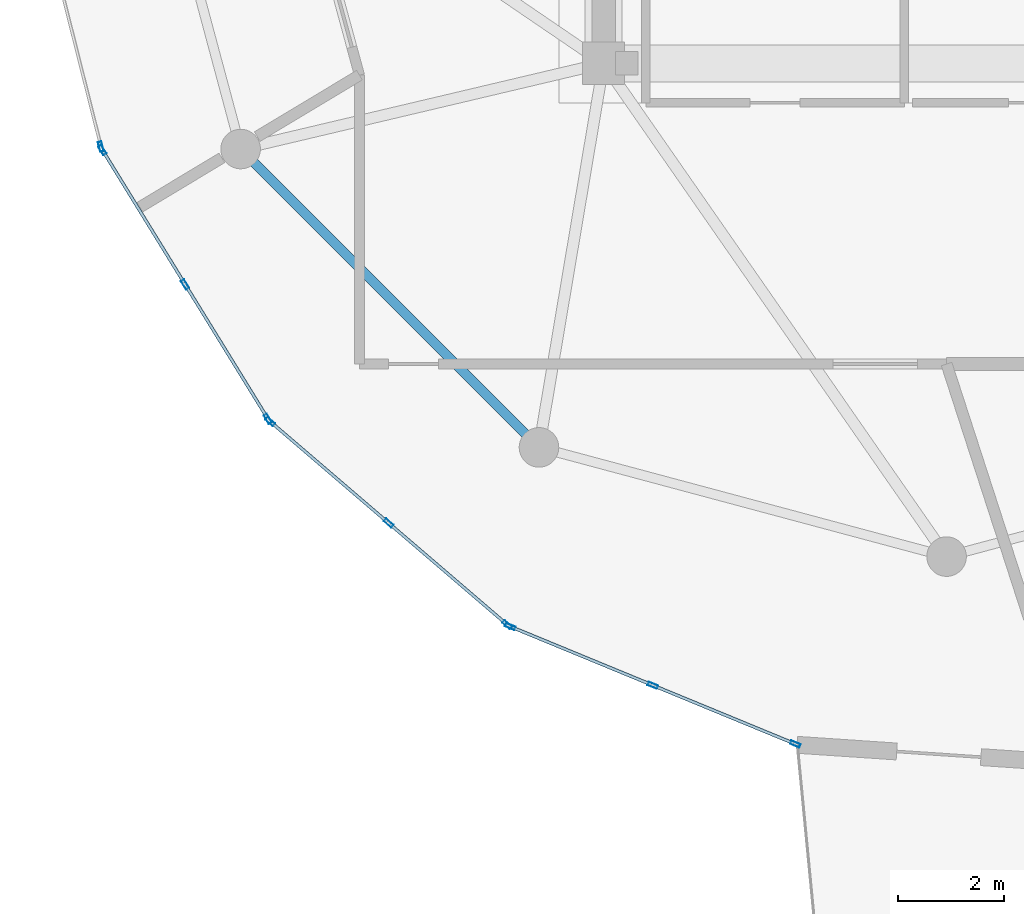
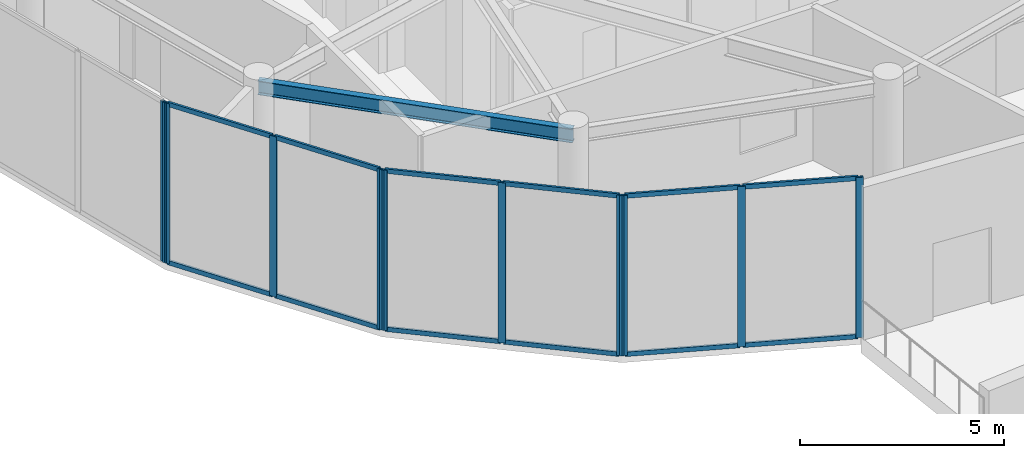
# One storey, part 2 of 21: 22 members, 1 beam, 4 elements without a shape of their own.
"""IFC4 building model written with IfcOpenShell, lengths in metres."""

from ifc_helpers import new_model, si_unit, direction, frame, origin, origin_2d, place, context, subcontext, project, spatial, hollow_rectangle, i_section, extrude, source, transform, mapped, material, layer, layer_set, material_profile, profile_set, type_object, element, aggregate, save


model = new_model("IFC4")

# Units and contexts
model_context = context("Model", 3, precision=1e-05, world=origin(), true_north=direction((0.0, 1.0)))
body_context = subcontext(model_context, "Body", "Model", "MODEL_VIEW")
ifc_project = project(units=[si_unit("LENGTHUNIT", "METRE"), si_unit("AREAUNIT", "SQUARE_METRE"), si_unit("VOLUMEUNIT", "CUBIC_METRE"), si_unit("PLANEANGLEUNIT", "RADIAN"), si_unit("MASSUNIT", "GRAM", prefix="KILO")], contexts=[model_context])

# Site, building, storey
site_placement = place(None, origin())
site = spatial("IfcSite", under=ifc_project, at=site_placement, CompositionType="ELEMENT")
building_placement = place(site_placement, origin())
building = spatial("IfcBuilding", under=site, at=building_placement, Name="Solvirekh Grand Hotel", CompositionType="ELEMENT")
storey_placement = place(building_placement, frame((0.0, 0.0, 262.0)))
storey = spatial("IfcBuildingStorey", under=building, at=storey_placement, Name="L68", CompositionType="ELEMENT", Elevation=262.0)

# Beam
ifc_material_1 = material(Name="Steel S355", Category="steel")
ifc_material_profile_1 = material_profile(ifc_material_1, i_section(OverallWidth=0.180908203125, OverallDepth=0.4169921875, WebThickness=0.010009765625, FlangeThickness=0.01611328125, FilletRadius=0.011962890625, at=origin_2d()), Name="W410X85")
ifc_profile_set_1 = profile_set([ifc_material_profile_1], Name="Steel S355")
beam_type = type_object("IfcBeamType", Name="Spandrel_Ring_W410", PredefinedType="SPANDREL", material=ifc_profile_set_1)
beam_placement = place(storey_placement, frame((-13.3798828125, -7.72509765625, 4.361083984375), z_axis=(0.707106781187, -0.707106781187, 0.0), x_axis=(0.707106781187, 0.707106781187, 0.0)))
element("IfcBeam", 1, at=beam_placement, inside=storey, type_object=beam_type, Name="L68 perimeter spandrel beam 8", PredefinedType="SPANDREL", context=body_context, shape_type="SweptSolid", body=[
    extrude(i_section(OverallWidth=0.180908203125, OverallDepth=0.4169921875, WebThickness=0.010009765625, FlangeThickness=0.01611328125, FilletRadius=0.011962890625, at=origin_2d()), origin(), (0.0, 0.0, 1.0), 7.9970703125),
])

# Curtain wall, member
ifc_material_2 = material(Name="Anodized Bronze Aluminium 6063-T6", Category="aluminium")
ifc_layer = layer(ifc_material_2, 0.18994140625)
ifc_layer_set = layer_set([ifc_layer], Name="Anodized Bronze Aluminium 6063-T6")
curtain_wall_type = type_object("IfcCurtainWallType", Name="CW_Sys5_SkyLobbyPanoramaCW", PredefinedType="NOTDEFINED", material=ifc_layer_set)
curtain_wall_1_placement = place(storey_placement, origin())
curtain_wall_1 = element("IfcCurtainWall", 2, at=curtain_wall_1_placement, inside=storey, type_object=curtain_wall_type, Name="L68 unitised bronze-glass curtain wall CW-L68-C16", PredefinedType="NOTDEFINED")
ifc_material_profile_2 = material_profile(ifc_material_2, hollow_rectangle(XDim=0.070068359375, YDim=0.18994140625, WallThickness=0.0048828125, at=origin_2d()), Name="ALU RHS 190X70X5")
ifc_profile_set_2 = profile_set([ifc_material_profile_2], Name="Anodized Bronze Aluminium 6063-T6")
member_type_1 = type_object("IfcMemberType", Name="CWMullion_Sys5", PredefinedType="MULLION", material=ifc_profile_set_2)
shared_shape_1 = source(origin(), body_context, "Body", "SweptSolid", [
    extrude(hollow_rectangle(XDim=0.070068359375, YDim=0.18994140625, WallThickness=0.0048828125, at=origin_2d()), origin(), (0.0, 0.0, 1.0), 4.800048828125),
])
member_1_placement = place(storey_placement, frame((-16.028564453125, -7.678955078125, 0.0), z_axis=(0.0, 0.0, 1.0), x_axis=(0.969531400996, 0.244967064078, 0.0)))
member_1 = element("IfcMember", 3, at=member_1_placement, type_object=member_type_1, Name="U05 mullion 3", PredefinedType="MULLION", context=body_context, shape_type="MappedRepresentation", body=[
    mapped(shared_shape_1, transform((0.0, 0.0, 0.0), x_axis=(1.0, 0.0, 0.0), y_axis=(0.0, 1.0, 0.0), z_axis=(0.0, 0.0, 1.0), scale=1.0)),
])
aggregate(curtain_wall_1, [member_1])

# Curtain wall, members
curtain_wall_2_placement = place(storey_placement, origin())
curtain_wall_2 = element("IfcCurtainWall", 4, at=curtain_wall_2_placement, inside=storey, type_object=curtain_wall_type, Name="L68 unitised bronze-glass curtain wall CW-L68-C17", PredefinedType="NOTDEFINED")
member_2_placement = place(storey_placement, frame((-16.001708984375, -7.742919921875, 0.0), z_axis=(0.0, 0.0, 1.0), x_axis=(0.851533516922, 0.524300171237, 0.0)))
member_2 = element("IfcMember", 5, at=member_2_placement, type_object=member_type_1, Name="U05 mullion 1", PredefinedType="MULLION", context=body_context, shape_type="MappedRepresentation", body=[
    mapped(shared_shape_1, transform((0.0, 0.0, 0.0), x_axis=(1.0, 0.0, 0.0), y_axis=(0.0, 1.0, 0.0), z_axis=(0.0, 0.0, 1.0), scale=1.0)),
])
member_3_placement = place(storey_placement, frame((-14.43310546875, -10.29052734375, 0.0), z_axis=(0.0, 0.0, 1.0), x_axis=(0.851533516922, 0.524300171237, 0.0)))
member_3 = element("IfcMember", 6, at=member_3_placement, type_object=member_type_1, Name="U05 mullion 2", PredefinedType="MULLION", context=body_context, shape_type="MappedRepresentation", body=[
    mapped(shared_shape_1, transform((0.0, 0.0, 0.0), x_axis=(1.0, 0.0, 0.0), y_axis=(0.0, 1.0, 0.0), z_axis=(0.0, 0.0, 1.0), scale=1.0)),
])
member_4_placement = place(storey_placement, frame((-12.8642578125, -12.838134765625, 0.0), z_axis=(0.0, 0.0, 1.0), x_axis=(0.851533516922, 0.524300171237, 0.0)))
member_4 = element("IfcMember", 7, at=member_4_placement, type_object=member_type_1, Name="U05 mullion 3", PredefinedType="MULLION", context=body_context, shape_type="MappedRepresentation", body=[
    mapped(shared_shape_1, transform((0.0, 0.0, 0.0), x_axis=(1.0, 0.0, 0.0), y_axis=(0.0, 1.0, 0.0), z_axis=(0.0, 0.0, 1.0), scale=1.0)),
])

curtain_wall_3_placement = place(storey_placement, origin())
curtain_wall_3 = element("IfcCurtainWall", 8, at=curtain_wall_3_placement, inside=storey, type_object=curtain_wall_type, Name="L68 unitised bronze-glass curtain wall CW-L68-C18", PredefinedType="NOTDEFINED")
member_5_placement = place(storey_placement, frame((-12.8193359375, -12.890869140625, 0.0), z_axis=(0.0, 0.0, 1.0), x_axis=(0.650805133483, 0.75924480784, 0.0)))
member_5 = element("IfcMember", 9, at=member_5_placement, type_object=member_type_1, Name="U05 mullion 1", PredefinedType="MULLION", context=body_context, shape_type="MappedRepresentation", body=[
    mapped(shared_shape_1, transform((0.0, 0.0, 0.0), x_axis=(1.0, 0.0, 0.0), y_axis=(0.0, 1.0, 0.0), z_axis=(0.0, 0.0, 1.0), scale=1.0)),
])
member_6_placement = place(storey_placement, frame((-10.573974609375, -14.8154296875, 0.0), z_axis=(0.0, 0.0, 1.0), x_axis=(0.650805133483, 0.75924480784, 0.0)))
member_6 = element("IfcMember", 10, at=member_6_placement, type_object=member_type_1, Name="U05 mullion 2", PredefinedType="MULLION", context=body_context, shape_type="MappedRepresentation", body=[
    mapped(shared_shape_1, transform((0.0, 0.0, 0.0), x_axis=(1.0, 0.0, 0.0), y_axis=(0.0, 1.0, 0.0), z_axis=(0.0, 0.0, 1.0), scale=1.0)),
])
member_7_placement = place(storey_placement, frame((-8.32861328125, -16.740234375, 0.0), z_axis=(0.0, 0.0, 1.0), x_axis=(0.650805133483, 0.75924480784, 0.0)))
member_7 = element("IfcMember", 11, at=member_7_placement, type_object=member_type_1, Name="U05 mullion 3", PredefinedType="MULLION", context=body_context, shape_type="MappedRepresentation", body=[
    mapped(shared_shape_1, transform((0.0, 0.0, 0.0), x_axis=(1.0, 0.0, 0.0), y_axis=(0.0, 1.0, 0.0), z_axis=(0.0, 0.0, 1.0), scale=1.0)),
])

curtain_wall_4_placement = place(storey_placement, origin())
curtain_wall_4 = element("IfcCurtainWall", 12, at=curtain_wall_4_placement, inside=storey, type_object=curtain_wall_type, Name="L68 unitised bronze-glass curtain wall CW-L68-C19", PredefinedType="NOTDEFINED")
member_8_placement = place(storey_placement, frame((-8.26953125, -16.7763671875, 0.0), z_axis=(0.0, 0.0, 1.0), x_axis=(0.381047380337, 0.924555511551, 0.0)))
member_8 = element("IfcMember", 13, at=member_8_placement, type_object=member_type_1, Name="U05 mullion 1", PredefinedType="MULLION", context=body_context, shape_type="MappedRepresentation", body=[
    mapped(shared_shape_1, transform((0.0, 0.0, 0.0), x_axis=(1.0, 0.0, 0.0), y_axis=(0.0, 1.0, 0.0), z_axis=(0.0, 0.0, 1.0), scale=1.0)),
])
member_9_placement = place(storey_placement, frame((-5.5673828125, -17.889892578125, 0.0), z_axis=(0.0, 0.0, 1.0), x_axis=(0.381047380337, 0.924555511551, 0.0)))
member_9 = element("IfcMember", 14, at=member_9_placement, type_object=member_type_1, Name="U05 mullion 2", PredefinedType="MULLION", context=body_context, shape_type="MappedRepresentation", body=[
    mapped(shared_shape_1, transform((0.0, 0.0, 0.0), x_axis=(1.0, 0.0, 0.0), y_axis=(0.0, 1.0, 0.0), z_axis=(0.0, 0.0, 1.0), scale=1.0)),
])
member_10_placement = place(storey_placement, frame((-2.865478515625, -19.003662109375, 0.0), z_axis=(0.0, 0.0, 1.0), x_axis=(0.381047380337, 0.924555511551, 0.0)))
member_10 = element("IfcMember", 15, at=member_10_placement, type_object=member_type_1, Name="U05 mullion 3", PredefinedType="MULLION", context=body_context, shape_type="MappedRepresentation", body=[
    mapped(shared_shape_1, transform((0.0, 0.0, 0.0), x_axis=(1.0, 0.0, 0.0), y_axis=(0.0, 1.0, 0.0), z_axis=(0.0, 0.0, 1.0), scale=1.0)),
])
ifc_material_profile_3 = material_profile(ifc_material_2, hollow_rectangle(XDim=0.06005859375, YDim=0.135009765625, WallThickness=0.00390625, at=origin_2d()), Name="ALU RHS 135X60X4")
ifc_profile_set_3 = profile_set([ifc_material_profile_3], Name="Anodized Bronze Aluminium 6063-T6")
member_type_2 = type_object("IfcMemberType", Name="CWTransom_Sys5", PredefinedType="USERDEFINED", material=ifc_profile_set_3)
shared_shape_2 = source(origin(), body_context, "Body", "SweptSolid", [
    extrude(hollow_rectangle(XDim=0.06005859375, YDim=0.135009765625, WallThickness=0.00390625, at=origin_2d()), origin(), (0.0, 0.0, 1.0), 2.8525390625),
])
member_11_placement = place(storey_placement, frame((-8.2373046875, -16.789794921875, 0.030029296875), z_axis=(0.924566394082, -0.381020974401, 0.0), x_axis=(0.381020974401, 0.924566394082, 0.0)))
member_11 = element("IfcMember", 16, at=member_11_placement, type_object=member_type_2, Name="U05 transom 1.1", ObjectType="TRANSOM", PredefinedType="USERDEFINED", context=body_context, shape_type="MappedRepresentation", body=[
    mapped(shared_shape_2, transform((0.0, 0.0, 0.0), x_axis=(1.0, 0.0, 0.0), y_axis=(0.0, 1.0, 0.0), z_axis=(0.0, 0.0, 1.0), scale=1.0)),
])
member_12_placement = place(storey_placement, frame((-8.2373046875, -16.789794921875, 4.77001953125), z_axis=(0.924566394082, -0.381020974401, 0.0), x_axis=(0.381020974401, 0.924566394082, 0.0)))
member_12 = element("IfcMember", 17, at=member_12_placement, type_object=member_type_2, Name="U05 transom 1.2", ObjectType="TRANSOM", PredefinedType="USERDEFINED", context=body_context, shape_type="MappedRepresentation", body=[
    mapped(shared_shape_2, transform((0.0, 0.0, 0.0), x_axis=(1.0, 0.0, 0.0), y_axis=(0.0, 1.0, 0.0), z_axis=(0.0, 0.0, 1.0), scale=1.0)),
])
member_13_placement = place(storey_placement, frame((-5.53515625, -17.9033203125, 0.030029296875), z_axis=(0.924566394082, -0.381020974401, 0.0), x_axis=(0.381020974401, 0.924566394082, 0.0)))
member_13 = element("IfcMember", 18, at=member_13_placement, type_object=member_type_2, Name="U05 transom 2.1", ObjectType="TRANSOM", PredefinedType="USERDEFINED", context=body_context, shape_type="MappedRepresentation", body=[
    mapped(shared_shape_2, transform((0.0, 0.0, 0.0), x_axis=(1.0, 0.0, 0.0), y_axis=(0.0, 1.0, 0.0), z_axis=(0.0, 0.0, 1.0), scale=1.0)),
])
member_14_placement = place(storey_placement, frame((-5.53515625, -17.9033203125, 4.77001953125), z_axis=(0.924566394082, -0.381020974401, 0.0), x_axis=(0.381020974401, 0.924566394082, 0.0)))
member_14 = element("IfcMember", 19, at=member_14_placement, type_object=member_type_2, Name="U05 transom 2.2", ObjectType="TRANSOM", PredefinedType="USERDEFINED", context=body_context, shape_type="MappedRepresentation", body=[
    mapped(shared_shape_2, transform((0.0, 0.0, 0.0), x_axis=(1.0, 0.0, 0.0), y_axis=(0.0, 1.0, 0.0), z_axis=(0.0, 0.0, 1.0), scale=1.0)),
])
aggregate(curtain_wall_4, [member_8, member_9, member_10, member_11, member_12, member_13, member_14])

# Member
shared_shape_3 = source(origin(), body_context, "Body", "SweptSolid", [
    extrude(hollow_rectangle(XDim=0.06005859375, YDim=0.135009765625, WallThickness=0.00390625, at=origin_2d()), origin(), (0.0, 0.0, 1.0), 2.921630859375),
])
member_15_placement = place(storey_placement, frame((-14.41455078125, -10.3203125, 0.030029296875), z_axis=(0.524255929696, -0.851560755424, 0.0), x_axis=(0.851560755424, 0.524255929696, 0.0)))
member_15 = element("IfcMember", 20, at=member_15_placement, type_object=member_type_2, Name="U05 transom 2.1", ObjectType="TRANSOM", PredefinedType="USERDEFINED", context=body_context, shape_type="MappedRepresentation", body=[
    mapped(shared_shape_3, transform((0.0, 0.0, 0.0), x_axis=(1.0, 0.0, 0.0), y_axis=(0.0, 1.0, 0.0), z_axis=(0.0, 0.0, 1.0), scale=1.0)),
])

member_16_placement = place(storey_placement, frame((-14.41455078125, -10.3203125, 4.77001953125), z_axis=(0.524255929696, -0.851560755424, 0.0), x_axis=(0.851560755424, 0.524255929696, 0.0)))
member_16 = element("IfcMember", 21, at=member_16_placement, type_object=member_type_2, Name="U05 transom 2.2", ObjectType="TRANSOM", PredefinedType="USERDEFINED", context=body_context, shape_type="MappedRepresentation", body=[
    mapped(shared_shape_3, transform((0.0, 0.0, 0.0), x_axis=(1.0, 0.0, 0.0), y_axis=(0.0, 1.0, 0.0), z_axis=(0.0, 0.0, 1.0), scale=1.0)),
])

shared_shape_4 = source(origin(), body_context, "Body", "SweptSolid", [
    extrude(hollow_rectangle(XDim=0.06005859375, YDim=0.135009765625, WallThickness=0.00390625, at=origin_2d()), origin(), (0.0, 0.0, 1.0), 2.921875),
])
member_17_placement = place(storey_placement, frame((-15.9833984375, -7.772705078125, 0.030029296875), z_axis=(0.524316519783, -0.851523450695, 0.0), x_axis=(0.851523450695, 0.524316519783, 0.0)))
member_17 = element("IfcMember", 22, at=member_17_placement, type_object=member_type_2, Name="U05 transom 1.1", ObjectType="TRANSOM", PredefinedType="USERDEFINED", context=body_context, shape_type="MappedRepresentation", body=[
    mapped(shared_shape_4, transform((0.0, 0.0, 0.0), x_axis=(1.0, 0.0, 0.0), y_axis=(0.0, 1.0, 0.0), z_axis=(0.0, 0.0, 1.0), scale=1.0)),
])

member_18_placement = place(storey_placement, frame((-15.9833984375, -7.772705078125, 4.77001953125), z_axis=(0.524316519783, -0.851523450695, 0.0), x_axis=(0.851523450695, 0.524316519783, 0.0)))
member_18 = element("IfcMember", 23, at=member_18_placement, type_object=member_type_2, Name="U05 transom 1.2", ObjectType="TRANSOM", PredefinedType="USERDEFINED", context=body_context, shape_type="MappedRepresentation", body=[
    mapped(shared_shape_4, transform((0.0, 0.0, 0.0), x_axis=(1.0, 0.0, 0.0), y_axis=(0.0, 1.0, 0.0), z_axis=(0.0, 0.0, 1.0), scale=1.0)),
])

aggregate(curtain_wall_2, [member_2, member_3, member_4, member_17, member_18, member_15, member_16])

shared_shape_5 = source(origin(), body_context, "Body", "SweptSolid", [
    extrude(hollow_rectangle(XDim=0.06005859375, YDim=0.135009765625, WallThickness=0.00390625, at=origin_2d()), origin(), (0.0, 0.0, 1.0), 2.887451171875),
])
member_19_placement = place(storey_placement, frame((-12.79296875, -12.91357421875, 0.030029296875), z_axis=(0.759262570597, -0.650784410455, 0.0), x_axis=(0.650784410455, 0.759262570597, 0.0)))
member_19 = element("IfcMember", 24, at=member_19_placement, type_object=member_type_2, Name="U05 transom 1.1", ObjectType="TRANSOM", PredefinedType="USERDEFINED", context=body_context, shape_type="MappedRepresentation", body=[
    mapped(shared_shape_5, transform((0.0, 0.0, 0.0), x_axis=(1.0, 0.0, 0.0), y_axis=(0.0, 1.0, 0.0), z_axis=(0.0, 0.0, 1.0), scale=1.0)),
])

member_20_placement = place(storey_placement, frame((-12.79296875, -12.91357421875, 4.77001953125), z_axis=(0.759262570597, -0.650784410455, 0.0), x_axis=(0.650784410455, 0.759262570597, 0.0)))
member_20 = element("IfcMember", 25, at=member_20_placement, type_object=member_type_2, Name="U05 transom 1.2", ObjectType="TRANSOM", PredefinedType="USERDEFINED", context=body_context, shape_type="MappedRepresentation", body=[
    mapped(shared_shape_5, transform((0.0, 0.0, 0.0), x_axis=(1.0, 0.0, 0.0), y_axis=(0.0, 1.0, 0.0), z_axis=(0.0, 0.0, 1.0), scale=1.0)),
])

member_21_placement = place(storey_placement, frame((-10.54736328125, -14.83837890625, 0.030029296875), z_axis=(0.759226758334, -0.650826189876, 0.0), x_axis=(0.650826189876, 0.759226758334, 0.0)))
member_21 = element("IfcMember", 26, at=member_21_placement, type_object=member_type_2, Name="U05 transom 2.1", ObjectType="TRANSOM", PredefinedType="USERDEFINED", context=body_context, shape_type="MappedRepresentation", body=[
    mapped(shared_shape_5, transform((0.0, 0.0, 0.0), x_axis=(1.0, 0.0, 0.0), y_axis=(0.0, 1.0, 0.0), z_axis=(0.0, 0.0, 1.0), scale=1.0)),
])

member_22_placement = place(storey_placement, frame((-10.54736328125, -14.83837890625, 4.77001953125), z_axis=(0.759226758334, -0.650826189876, 0.0), x_axis=(0.650826189876, 0.759226758334, 0.0)))
member_22 = element("IfcMember", 27, at=member_22_placement, type_object=member_type_2, Name="U05 transom 2.2", ObjectType="TRANSOM", PredefinedType="USERDEFINED", context=body_context, shape_type="MappedRepresentation", body=[
    mapped(shared_shape_5, transform((0.0, 0.0, 0.0), x_axis=(1.0, 0.0, 0.0), y_axis=(0.0, 1.0, 0.0), z_axis=(0.0, 0.0, 1.0), scale=1.0)),
])

aggregate(curtain_wall_3, [member_5, member_6, member_7, member_19, member_20, member_21, member_22])

save(model, "model.ifc")
